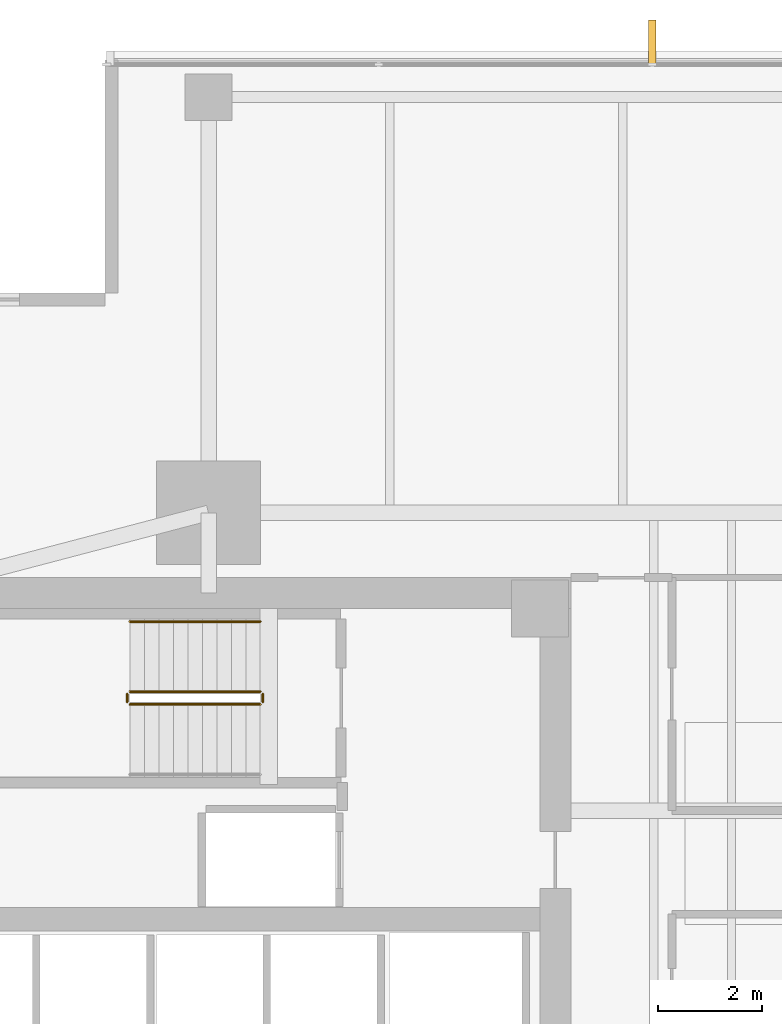
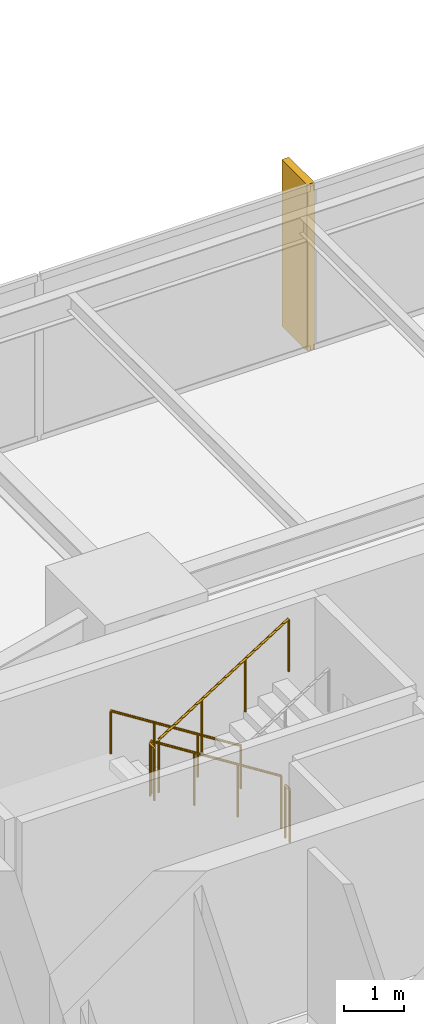
# One storey, part 13 of 14: 5 railings, 1 covering.
"""IFC4 building model written with IfcOpenShell, lengths in metres."""

from ifc_helpers import new_model, si_unit, direction, frame, origin, origin_2d, place, context, subcontext, project, spatial, polyline, circle, outline, extrude, material, layer, layer_set, type_object, element, save


model = new_model("IFC4")

# Units and contexts
model_context = context("Model", 3, precision=1e-05, world=origin(), true_north=direction((0.0, 1.0)))
body_context = subcontext(model_context, "Body", "Model", "MODEL_VIEW")
ifc_project = project(units=[si_unit("LENGTHUNIT", "METRE"), si_unit("AREAUNIT", "SQUARE_METRE"), si_unit("VOLUMEUNIT", "CUBIC_METRE"), si_unit("PLANEANGLEUNIT", "RADIAN"), si_unit("MASSUNIT", "GRAM", prefix="KILO")], contexts=[model_context])

# Site, building, storey
site_placement = place(None, origin())
site = spatial("IfcSite", under=ifc_project, at=site_placement, CompositionType="ELEMENT")
building_placement = place(site_placement, origin())
building = spatial("IfcBuilding", under=site, at=building_placement, Name="Kinhvarn Gate Tower", CompositionType="ELEMENT")
storey_placement = place(building_placement, frame((0.0, 0.0, 155.5)))
storey = spatial("IfcBuildingStorey", under=building, at=storey_placement, Name="L41", CompositionType="ELEMENT", Elevation=155.5)

# Covering
ifc_material_1 = material(Name="Fired architectural terracotta", Category="masonry")
ifc_layer = layer(ifc_material_1, 0.139892578125)
ifc_layer_set = layer_set([ifc_layer], Name="Fired architectural terracotta")
covering_type = type_object("IfcCoveringType", Name="COV-FIN-850", PredefinedType="CLADDING", material=ifc_layer_set)
covering_placement = place(storey_placement, frame((0.0, 0.0, -0.02001953125)))
element("IfcCovering", 1, at=covering_placement, inside=storey, type_object=covering_type, Name="Vertical Terracotta Expressive Fin TFN-850 (L41)", PredefinedType="CLADDING", context=body_context, shape_type="SweptSolid", body=[
    extrude(outline(polyline([(19.641357421875, 46.419921875), (19.50146484375, 46.419921875), (19.50146484375, 47.27001953125), (19.641357421875, 47.27001953125), (19.641357421875, 46.419921875)])), origin(), (0.0, 0.0, 1.0), 3.409912109375),
])

# Railings
ifc_material_2 = material(Name="Steel S355", Category="steel")
railing_type_1 = type_object("IfcRailingType", Name="RL-ST-GRD", PredefinedType="BALUSTRADE", material=ifc_material_2)
railing_1_placement = place(storey_placement, frame((12.0, 34.300048828125, 0.177490234375)))
element("IfcRailing", 2, at=railing_1_placement, inside=storey, type_object=railing_type_1, Name="L41 ST2 stair guard 1", PredefinedType="BALUSTRADE", context=body_context, shape_type="SweptSolid", body=[
    extrude(circle(Radius=0.02392578125, at=origin_2d()), frame((0.0, 0.0, 1.076171875), z_axis=(-0.84460694969, 0.0, 0.535386869969), x_axis=(0.0, -1.0, 0.0)), (0.0, 0.0, 1.0), 2.983642578125),
    extrude(circle(Radius=0.02099609375, at=origin_2d()), origin(), (0.0, 0.0, 1.0), 1.052001953125),
    extrude(circle(Radius=0.02099609375, at=origin_2d()), frame((-0.840087890625, 0.0, 0.532470703125)), (0.0, 0.0, 1.0), 1.052001953125),
    extrude(circle(Radius=0.02099609375, at=origin_2d()), frame((-1.679931640625, 0.0, 1.06494140625)), (0.0, 0.0, 1.0), 1.052001953125),
    extrude(circle(Radius=0.02099609375, at=origin_2d()), frame((-2.52001953125, 0.0, 1.597412109375)), (0.0, 0.0, 1.0), 1.052001953125),
])
railing_2_placement = place(storey_placement, frame((9.429931640625, 34.25, 1.77490234375)))
element("IfcRailing", 3, at=railing_2_placement, inside=storey, type_object=railing_type_1, Name="L41 ST2 stair guard 2", PredefinedType="BALUSTRADE", context=body_context, shape_type="SweptSolid", body=[
    extrude(circle(Radius=0.02392578125, at=origin_2d()), frame((0.0, 0.0, 1.076171875), z_axis=(0.0, -1.0, 0.0), x_axis=(1.0, 0.0, 0.0)), (0.0, 0.0, 1.0), 0.14990234375),
    extrude(circle(Radius=0.02099609375, at=origin_2d()), origin(), (0.0, 0.0, 1.0), 1.052001953125),
    extrude(circle(Radius=0.02099609375, at=origin_2d()), frame((0.0, -0.14990234375, 0.0)), (0.0, 0.0, 1.0), 1.052001953125),
])
railing_3_placement = place(storey_placement, frame((9.47998046875, 34.050048828125, 1.952392578125)))
element("IfcRailing", 4, at=railing_3_placement, inside=storey, type_object=railing_type_1, Name="L41 ST2 stair guard 3", PredefinedType="BALUSTRADE", context=body_context, shape_type="SweptSolid", body=[
    extrude(circle(Radius=0.02392578125, at=origin_2d()), frame((0.0, 0.0, 1.076171875), z_axis=(0.84456994832, 0.0, 0.535445237532), x_axis=(0.0, 1.0, 0.0)), (0.0, 0.0, 1.0), 2.98388671875),
    extrude(circle(Radius=0.02099609375, at=origin_2d()), origin(), (0.0, 0.0, 1.0), 1.052001953125),
    extrude(circle(Radius=0.02099609375, at=origin_2d()), frame((0.840087890625, 0.0, 0.532470703125)), (0.0, 0.0, 1.0), 1.052001953125),
    extrude(circle(Radius=0.02099609375, at=origin_2d()), frame((1.679931640625, 0.0, 1.065185546875)), (0.0, 0.0, 1.0), 1.052001953125),
    extrude(circle(Radius=0.02099609375, at=origin_2d()), frame((2.52001953125, 0.0, 1.59765625)), (0.0, 0.0, 1.0), 1.052001953125),
])
railing_4_placement = place(storey_placement, frame((12.050048828125, 34.25, 0.0)))
element("IfcRailing", 5, at=railing_4_placement, inside=storey, type_object=railing_type_1, Name="L41 ST2 stair guard 4", PredefinedType="BALUSTRADE", context=body_context, shape_type="SweptSolid", body=[
    extrude(circle(Radius=0.02392578125, at=origin_2d()), frame((0.0, 0.0, 1.076171875), z_axis=(0.0, -1.0, 0.0), x_axis=(1.0, 0.0, 0.0)), (0.0, 0.0, 1.0), 0.14990234375),
    extrude(circle(Radius=0.02099609375, at=origin_2d()), origin(), (0.0, 0.0, 1.0), 1.052001953125),
    extrude(circle(Radius=0.02099609375, at=origin_2d()), frame((0.0, -0.14990234375, 0.0)), (0.0, 0.0, 1.0), 1.052001953125),
])
railing_type_2 = type_object("IfcRailingType", Name="RL-ST-HND", PredefinedType="HANDRAIL", material=ifc_material_2)
railing_5_placement = place(storey_placement, frame((12.0, 35.64990234375, 0.177490234375)))
element("IfcRailing", 6, at=railing_5_placement, inside=storey, type_object=railing_type_2, Name="L41 ST2 stair handrail 1", PredefinedType="HANDRAIL", context=body_context, shape_type="SweptSolid", body=[
    extrude(circle(Radius=0.02392578125, at=origin_2d()), frame((0.0, 0.0, 0.8759765625), z_axis=(-0.84460694969, 0.0, 0.535386869969), x_axis=(0.0, -1.0, 0.0)), (0.0, 0.0, 1.0), 2.983642578125),
    extrude(circle(Radius=0.02099609375, at=origin_2d()), origin(), (0.0, 0.0, 1.0), 0.851806640625),
    extrude(circle(Radius=0.02099609375, at=origin_2d()), frame((-0.840087890625, 0.0, 0.532470703125)), (0.0, 0.0, 1.0), 0.851806640625),
    extrude(circle(Radius=0.02099609375, at=origin_2d()), frame((-1.679931640625, 0.0, 1.06494140625)), (0.0, 0.0, 1.0), 0.851806640625),
    extrude(circle(Radius=0.02099609375, at=origin_2d()), frame((-2.52001953125, 0.0, 1.597412109375)), (0.0, 0.0, 1.0), 0.851806640625),
])

save(model, "model.ifc")
